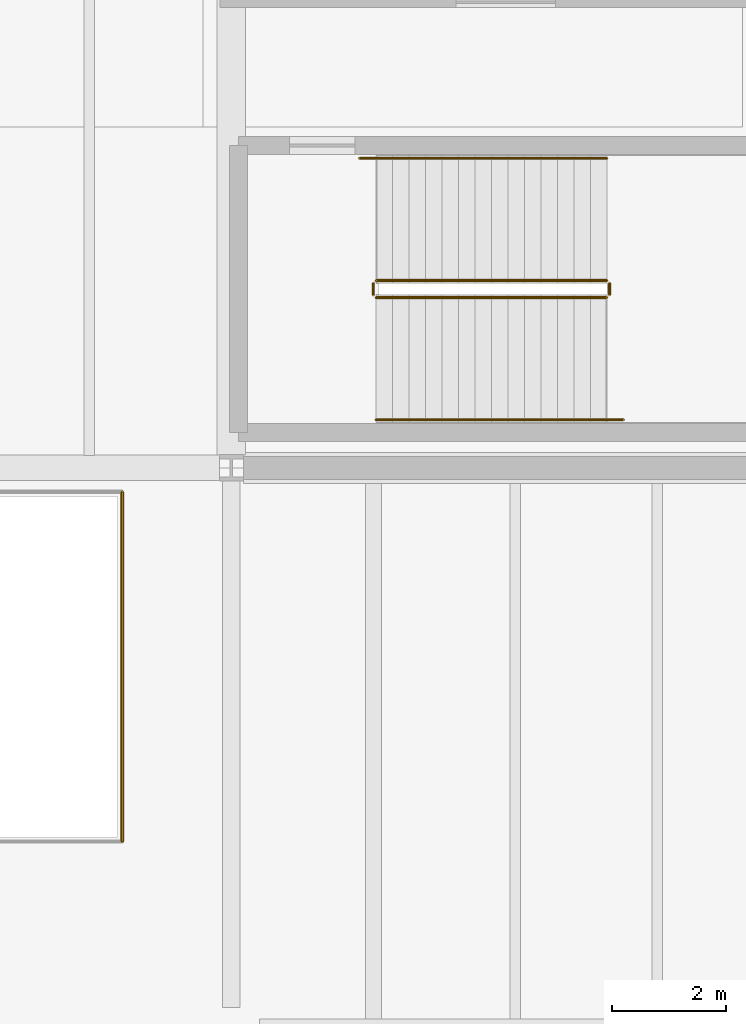
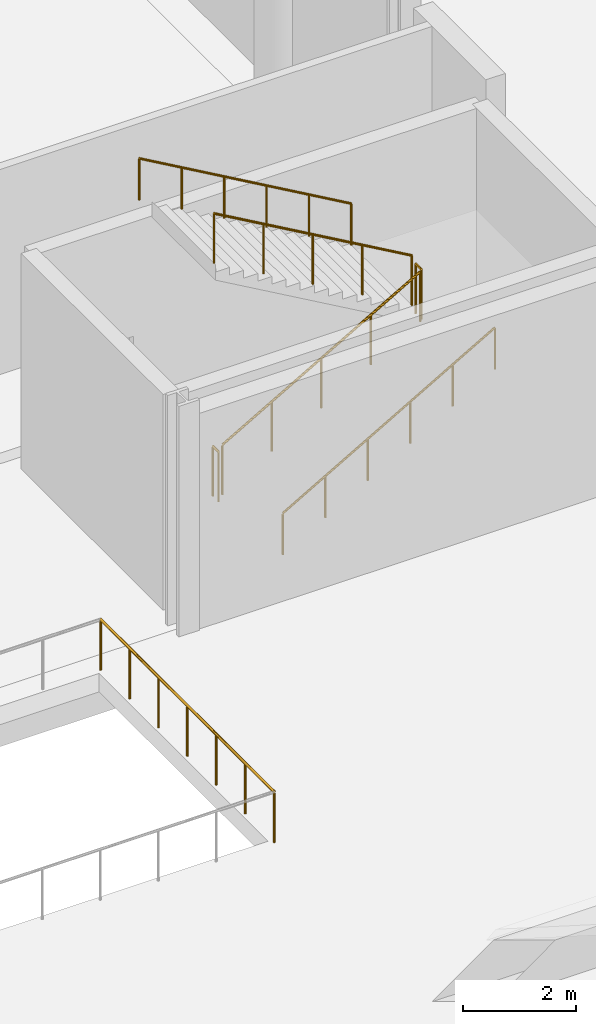
# One storey, part 84 of 88: 7 railings.
"""IFC4 building model written with IfcOpenShell, lengths in metres."""

from ifc_helpers import new_model, si_unit, direction, frame, origin, origin_2d, place, context, subcontext, project, spatial, circle, extrude, material, type_object, element, save


model = new_model("IFC4")

# Units and contexts
model_context = context("Model", 3, precision=1e-05, world=origin(), true_north=direction((0.0, 1.0)))
body_context = subcontext(model_context, "Body", "Model", "MODEL_VIEW")
ifc_project = project(units=[si_unit("LENGTHUNIT", "METRE"), si_unit("AREAUNIT", "SQUARE_METRE"), si_unit("VOLUMEUNIT", "CUBIC_METRE"), si_unit("PLANEANGLEUNIT", "RADIAN"), si_unit("MASSUNIT", "GRAM", prefix="KILO")], contexts=[model_context])

# Site, building, storey
site_placement = place(None, origin())
site = spatial("IfcSite", under=ifc_project, at=site_placement, CompositionType="ELEMENT")
building_placement = place(site_placement, origin())
building = spatial("IfcBuilding", under=site, at=building_placement, Name="Trimount Lyric Opera House", CompositionType="ELEMENT")
storey_placement = place(building_placement, origin())
storey = spatial("IfcBuildingStorey", under=building, at=storey_placement, Name="L00", CompositionType="ELEMENT", Elevation=0.0)

# Railings
ifc_material_1 = material(Name="Bronze and Laminated Acoustic Glass", Category="glass")
railing_type_1 = type_object("IfcRailingType", Name="RL-BAL112", PredefinedType="BALUSTRADE", material=ifc_material_1)
railing_1_placement = place(storey_placement, frame((102.080078125, 77.419921875, 0.0)))
element("IfcRailing", 1, at=railing_1_placement, inside=storey, type_object=railing_type_1, Name="L00 atrium and balcony guard GRD-PIT-L00-E", PredefinedType="BALUSTRADE", context=body_context, shape_type="SweptSolid", body=[
    extrude(circle(Radius=0.02734375, at=origin_2d()), frame((0.0, 0.0, 1.0927734375), z_axis=(0.0, 1.0, 0.0), x_axis=(-1.0, 0.0, 0.0)), (0.0, 0.0, 1.0), 6.16015625),
    extrude(circle(Radius=0.02099609375, at=origin_2d()), origin(), (0.0, 0.0, 1.0), 1.065185546875),
    extrude(circle(Radius=0.02099609375, at=origin_2d()), frame((0.0, 1.026611328125, 0.0)), (0.0, 0.0, 1.0), 1.065185546875),
    extrude(circle(Radius=0.02099609375, at=origin_2d()), frame((0.0, 2.053466796875, 0.0)), (0.0, 0.0, 1.0), 1.065185546875),
    extrude(circle(Radius=0.02099609375, at=origin_2d()), frame((0.0, 3.080078125, 0.0)), (0.0, 0.0, 1.0), 1.065185546875),
    extrude(circle(Radius=0.02099609375, at=origin_2d()), frame((0.0, 4.106689453125, 0.0)), (0.0, 0.0, 1.0), 1.065185546875),
    extrude(circle(Radius=0.02099609375, at=origin_2d()), frame((0.0, 5.133544921875, 0.0)), (0.0, 0.0, 1.0), 1.065185546875),
    extrude(circle(Radius=0.02099609375, at=origin_2d()), frame((0.0, 6.16015625, 0.0)), (0.0, 0.0, 1.0), 1.065185546875),
])
ifc_material_2 = material(Name="Brushed Stainless Steel 316", Category="steel")
railing_type_2 = type_object("IfcRailingType", Name="RL-GRD110", PredefinedType="GUARDRAIL", material=ifc_material_2)
railing_2_placement = place(storey_placement, frame((106.550048828125, 87.0, 0.166748046875)))
element("IfcRailing", 2, at=railing_2_placement, inside=storey, type_object=railing_type_2, Name="L00 ST-04 stair guard 1", PredefinedType="GUARDRAIL", context=body_context, shape_type="SweptSolid", body=[
    extrude(circle(Radius=0.02392578125, at=origin_2d()), frame((0.0, 0.0, 1.076171875), z_axis=(0.867024558463, 0.0, 0.498265406207), x_axis=(0.0, 1.0, 0.0)), (0.0, 0.0, 1.0), 4.682861328125),
    extrude(circle(Radius=0.02099609375, at=origin_2d()), origin(), (0.0, 0.0, 1.0), 1.052001953125),
    extrude(circle(Radius=0.02099609375, at=origin_2d()), frame((1.01513671875, 0.0, 0.583251953125)), (0.0, 0.0, 1.0), 1.052001953125),
    extrude(circle(Radius=0.02099609375, at=origin_2d()), frame((2.030029296875, 0.0, 1.16650390625)), (0.0, 0.0, 1.0), 1.052001953125),
    extrude(circle(Radius=0.02099609375, at=origin_2d()), frame((3.044921875, 0.0, 1.75)), (0.0, 0.0, 1.0), 1.052001953125),
    extrude(circle(Radius=0.02099609375, at=origin_2d()), frame((4.06005859375, 0.0, 2.333251953125)), (0.0, 0.0, 1.0), 1.052001953125),
])
railing_3_placement = place(storey_placement, frame((110.659912109375, 87.050048828125, 2.5)))
element("IfcRailing", 3, at=railing_3_placement, inside=storey, type_object=railing_type_2, Name="L00 ST-04 stair guard 2", PredefinedType="GUARDRAIL", context=body_context, shape_type="SweptSolid", body=[
    extrude(circle(Radius=0.02392578125, at=origin_2d()), frame((0.0, 0.0, 1.076171875), z_axis=(0.0, 1.0, 0.0), x_axis=(-1.0, 0.0, 0.0)), (0.0, 0.0, 1.0), 0.199951171875),
    extrude(circle(Radius=0.02099609375, at=origin_2d()), origin(), (0.0, 0.0, 1.0), 1.052001953125),
    extrude(circle(Radius=0.02099609375, at=origin_2d()), frame((0.0, 0.199951171875, 0.0)), (0.0, 0.0, 1.0), 1.052001953125),
])
railing_4_placement = place(storey_placement, frame((110.610107421875, 87.300048828125, 2.666748046875)))
element("IfcRailing", 4, at=railing_4_placement, inside=storey, type_object=railing_type_2, Name="L00 ST-04 stair guard 3", PredefinedType="GUARDRAIL", context=body_context, shape_type="SweptSolid", body=[
    extrude(circle(Radius=0.02392578125, at=origin_2d()), frame((0.0, 0.0, 1.076171875), z_axis=(-0.867024558463, 0.0, 0.498265406207), x_axis=(0.0, -1.0, 0.0)), (0.0, 0.0, 1.0), 4.682861328125),
    extrude(circle(Radius=0.02099609375, at=origin_2d()), origin(), (0.0, 0.0, 1.0), 1.052001953125),
    extrude(circle(Radius=0.02099609375, at=origin_2d()), frame((-1.01513671875, 0.0, 0.583251953125)), (0.0, 0.0, 1.0), 1.052001953125),
    extrude(circle(Radius=0.02099609375, at=origin_2d()), frame((-2.030029296875, 0.0, 1.16650390625)), (0.0, 0.0, 1.0), 1.052001953125),
    extrude(circle(Radius=0.02099609375, at=origin_2d()), frame((-3.044921875, 0.0, 1.75)), (0.0, 0.0, 1.0), 1.052001953125),
    extrude(circle(Radius=0.02099609375, at=origin_2d()), frame((-4.06005859375, 0.0, 2.333251953125)), (0.0, 0.0, 1.0), 1.052001953125),
])
railing_5_placement = place(storey_placement, frame((106.5, 87.050048828125, 0.0)))
element("IfcRailing", 5, at=railing_5_placement, inside=storey, type_object=railing_type_2, Name="L00 ST-04 stair guard 4", PredefinedType="GUARDRAIL", context=body_context, shape_type="SweptSolid", body=[
    extrude(circle(Radius=0.02392578125, at=origin_2d()), frame((0.0, 0.0, 1.076171875), z_axis=(0.0, 1.0, 0.0), x_axis=(-1.0, 0.0, 0.0)), (0.0, 0.0, 1.0), 0.199951171875),
    extrude(circle(Radius=0.02099609375, at=origin_2d()), origin(), (0.0, 0.0, 1.0), 1.052001953125),
    extrude(circle(Radius=0.02099609375, at=origin_2d()), frame((0.0, 0.199951171875, 0.0)), (0.0, 0.0, 1.0), 1.052001953125),
])
ifc_material_3 = material(Name="Brushed Stainless Steel 316", Category="steel")
railing_type_3 = type_object("IfcRailingType", Name="RL-HND092", PredefinedType="HANDRAIL", material=ifc_material_3)
railing_6_placement = place(storey_placement, frame((106.550048828125, 84.85009765625, 0.166748046875)))
element("IfcRailing", 6, at=railing_6_placement, inside=storey, type_object=railing_type_3, Name="L00 ST-04 stair handrail 1", PredefinedType="HANDRAIL", context=body_context, shape_type="SweptSolid", body=[
    extrude(circle(Radius=0.0224609375, at=origin_2d()), frame((0.0, 0.0, 0.8974609375), z_axis=(0.866754379005, 0.0, 0.498735246875), x_axis=(0.0, 1.0, 0.0)), (0.0, 0.0, 1.0), 5.0185546875),
    extrude(circle(Radius=0.02099609375, at=origin_2d()), origin(), (0.0, 0.0, 1.0), 0.875),
    extrude(circle(Radius=0.02099609375, at=origin_2d()), frame((0.869873046875, 0.0, 0.50048828125)), (0.0, 0.0, 1.0), 0.875),
    extrude(circle(Radius=0.02099609375, at=origin_2d()), frame((1.739990234375, 0.0, 1.001220703125)), (0.0, 0.0, 1.0), 0.875),
    extrude(circle(Radius=0.02099609375, at=origin_2d()), frame((2.60986328125, 0.0, 1.501708984375)), (0.0, 0.0, 1.0), 0.875),
    extrude(circle(Radius=0.02099609375, at=origin_2d()), frame((3.47998046875, 0.0, 2.00244140625)), (0.0, 0.0, 1.0), 0.875),
    extrude(circle(Radius=0.02099609375, at=origin_2d()), frame((4.349853515625, 0.0, 2.5029296875)), (0.0, 0.0, 1.0), 0.875),
])
railing_7_placement = place(storey_placement, frame((110.610107421875, 89.449951171875, 2.666748046875)))
element("IfcRailing", 7, at=railing_7_placement, inside=storey, type_object=railing_type_3, Name="L00 ST-04 stair handrail 2", PredefinedType="HANDRAIL", context=body_context, shape_type="SweptSolid", body=[
    extrude(circle(Radius=0.0224609375, at=origin_2d()), frame((0.0, 0.0, 0.8974609375), z_axis=(-0.866766478692, 0.0, 0.498714218181), x_axis=(0.0, -1.0, 0.0)), (0.0, 0.0, 1.0), 5.018798828125),
    extrude(circle(Radius=0.02099609375, at=origin_2d()), origin(), (0.0, 0.0, 1.0), 0.875),
    extrude(circle(Radius=0.02099609375, at=origin_2d()), frame((-0.8701171875, 0.0, 0.50048828125)), (0.0, 0.0, 1.0), 0.875),
    extrude(circle(Radius=0.02099609375, at=origin_2d()), frame((-1.739990234375, 0.0, 1.001220703125)), (0.0, 0.0, 1.0), 0.875),
    extrude(circle(Radius=0.02099609375, at=origin_2d()), frame((-2.610107421875, 0.0, 1.501708984375)), (0.0, 0.0, 1.0), 0.875),
    extrude(circle(Radius=0.02099609375, at=origin_2d()), frame((-3.47998046875, 0.0, 2.00244140625)), (0.0, 0.0, 1.0), 0.875),
    extrude(circle(Radius=0.02099609375, at=origin_2d()), frame((-4.35009765625, 0.0, 2.5029296875)), (0.0, 0.0, 1.0), 0.875),
])

save(model, "model.ifc")
